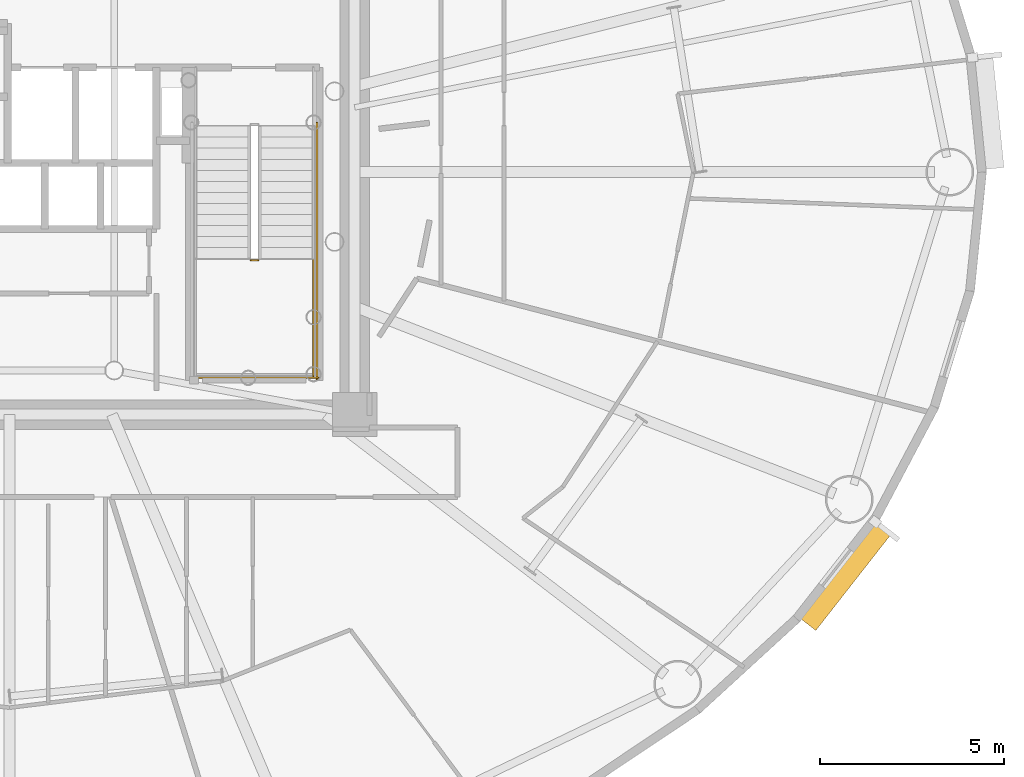
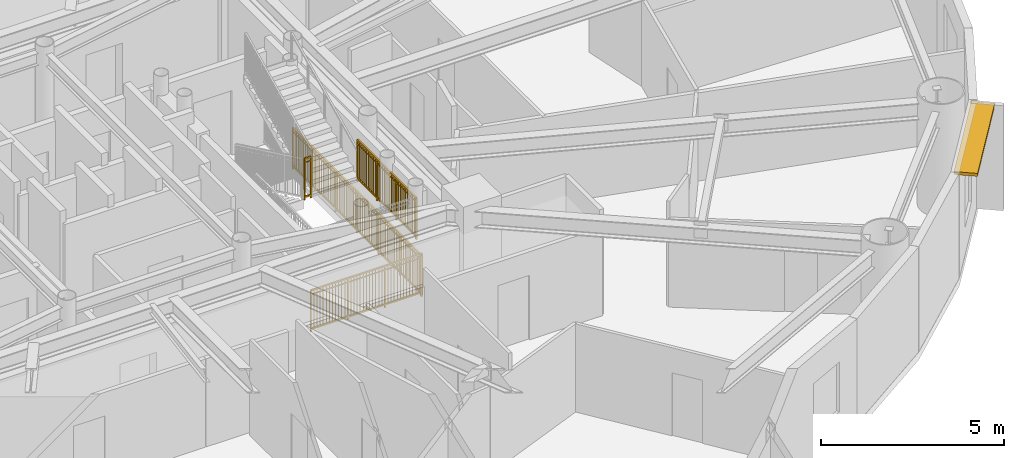
# One storey, part 18 of 19: 4 railings, 1 shading device.
"""IFC4 building model written with IfcOpenShell, lengths in metres."""

from ifc_helpers import new_model, si_unit, direction, frame, origin, origin_2d, place, context, subcontext, project, spatial, rectangle, extrude, source, transform, mapped, material, layer, layer_set, type_object, element, save


model = new_model("IFC4")

# Units and contexts
model_context = context("Model", 3, precision=1e-05, world=origin(), true_north=direction((0.0, 1.0)))
body_context = subcontext(model_context, "Body", "Model", "MODEL_VIEW")
ifc_project = project(units=[si_unit("LENGTHUNIT", "METRE"), si_unit("AREAUNIT", "SQUARE_METRE"), si_unit("VOLUMEUNIT", "CUBIC_METRE"), si_unit("PLANEANGLEUNIT", "RADIAN"), si_unit("MASSUNIT", "GRAM", prefix="KILO")], contexts=[model_context])

# Site, building, storey
site_placement = place(None, origin())
site = spatial("IfcSite", under=ifc_project, at=site_placement, CompositionType="ELEMENT")
building_placement = place(site_placement, origin())
building = spatial("IfcBuilding", under=site, at=building_placement, Name="Linh Dai School and Residence Tower", CompositionType="ELEMENT")
storey_placement = place(building_placement, frame((0.0, 0.0, 174.89990234375)))
storey = spatial("IfcBuildingStorey", under=building, at=storey_placement, Name="L42", CompositionType="ELEMENT", Elevation=174.89990234375)

# Shading device
ifc_material_1 = material(Name="Terracotta Ceramic Sunshade", Category="masonry")
ifc_layer = layer(ifc_material_1, 0.10009765625)
ifc_layer_set = layer_set([ifc_layer], Name="Terracotta Ceramic Sunshade")
shading_device_type = type_object("IfcShadingDeviceType", Name="SHD-TC-650", PredefinedType="USERDEFINED", material=ifc_layer_set)
shared_shape_1 = source(origin(), body_context, "Body", "SweptSolid", [
    extrude(rectangle(XDim=3.376708984375, YDim=0.64990234375, at=origin_2d()), origin(), (0.0, 0.0, 1.0), 0.10009765625),
])
shading_device_placement = place(storey_placement, frame((58.736572265625, 16.05078125, 3.380126953125), z_axis=(0.0, 0.0, 1.0), x_axis=(-0.616286337798, -0.787522158319, 0.0)))
element("IfcShadingDevice", 1, at=shading_device_placement, inside=storey, type_object=shading_device_type, Name="L42 Terracotta Horizontal Sunshade Band 37", ObjectType="SUNSHADE", PredefinedType="USERDEFINED", context=body_context, shape_type="MappedRepresentation", body=[
    mapped(shared_shape_1, transform((0.0, 0.0, 0.0), x_axis=(1.0, 0.0, 0.0), y_axis=(0.0, 1.0, 0.0), z_axis=(0.0, 0.0, 1.0), scale=1.0)),
])

# Railings
ifc_material_2 = material(Name="Structural Steel S355JR", Category="steel")
railing_type = type_object("IfcRailingType", Name="RL-ST-GUARD-1400", PredefinedType="GUARDRAIL", material=ifc_material_2)
shared_shape_2 = source(origin(), body_context, "Body", "SweptSolid", [
    extrude(rectangle(XDim=0.048095703125, YDim=0.048095703125, at=origin_2d()), frame((0.0, 0.0, 1.3759765625), z_axis=(1.0, 0.0, 0.0), x_axis=(0.0, 1.0, 0.0)), (0.0, 0.0, 1.0), 0.199951171875),
    extrude(rectangle(XDim=0.048095703125, YDim=0.048095703125, at=origin_2d()), frame((0.0, 0.0, 0.10009765625), z_axis=(1.0, 0.0, 0.0), x_axis=(0.0, 1.0, 0.0)), (0.0, 0.0, 1.0), 0.199951171875),
    extrude(rectangle(XDim=0.030029296875, YDim=0.030029296875, at=origin_2d()), frame((0.0, 0.0, 1.239990234375), z_axis=(1.0, 0.0, 0.0), x_axis=(0.0, 1.0, 0.0)), (0.0, 0.0, 1.0), 0.199951171875),
    extrude(rectangle(XDim=0.0419921875, YDim=0.0419921875, at=origin_2d()), origin(), (0.0, 0.0, 1.0), 1.3759765625),
    extrude(rectangle(XDim=0.0419921875, YDim=0.0419921875, at=origin_2d()), frame((0.199951171875, 0.0, 0.0)), (0.0, 0.0, 1.0), 1.3759765625),
])
railing_1_placement = place(storey_placement, frame((42.570068359375, 24.60009765625, 1.875)))
element("IfcRailing", 2, at=railing_1_placement, inside=storey, type_object=railing_type, Name="L42 ST2 stair guard 2", PredefinedType="GUARDRAIL", context=body_context, shape_type="MappedRepresentation", body=[
    mapped(shared_shape_2, transform((0.0, 0.0, 0.0), x_axis=(1.0, 0.0, 0.0), y_axis=(0.0, 1.0, 0.0), z_axis=(0.0, 0.0, 1.0), scale=1.0)),
])
shared_shape_3 = source(origin(), body_context, "Body", "SweptSolid", [
    extrude(rectangle(XDim=0.048095703125, YDim=0.048095703125, at=origin_2d()), frame((0.0, 0.0, 1.3759765625), z_axis=(0.0, -1.0, 0.0), x_axis=(1.0, 0.0, 0.0)), (0.0, 0.0, 1.0), 7.0),
    extrude(rectangle(XDim=0.048095703125, YDim=0.048095703125, at=origin_2d()), frame((0.0, 0.0, 0.10009765625), z_axis=(0.0, -1.0, 0.0), x_axis=(1.0, 0.0, 0.0)), (0.0, 0.0, 1.0), 7.0),
    extrude(rectangle(XDim=0.030029296875, YDim=0.030029296875, at=origin_2d()), frame((0.0, 0.0, 1.239990234375), z_axis=(0.0, -1.0, 0.0), x_axis=(1.0, 0.0, 0.0)), (0.0, 0.0, 1.0), 7.0),
    extrude(rectangle(XDim=0.02001953125, YDim=0.02001953125, at=origin_2d()), frame((0.0, -0.09716796875, 0.10009765625)), (0.0, 0.0, 1.0), 1.251708984375),
    extrude(rectangle(XDim=0.02001953125, YDim=0.02001953125, at=origin_2d()), frame((0.0, -0.1943359375, 0.10009765625)), (0.0, 0.0, 1.0), 1.251708984375),
    extrude(rectangle(XDim=0.02001953125, YDim=0.02001953125, at=origin_2d()), frame((0.0, -0.291748046875, 0.10009765625)), (0.0, 0.0, 1.0), 1.251708984375),
    extrude(rectangle(XDim=0.02001953125, YDim=0.02001953125, at=origin_2d()), frame((0.0, -0.388916015625, 0.10009765625)), (0.0, 0.0, 1.0), 1.251708984375),
    extrude(rectangle(XDim=0.02001953125, YDim=0.02001953125, at=origin_2d()), frame((0.0, -0.486083984375, 0.10009765625)), (0.0, 0.0, 1.0), 1.251708984375),
    extrude(rectangle(XDim=0.02001953125, YDim=0.02001953125, at=origin_2d()), frame((0.0, -0.583251953125, 0.10009765625)), (0.0, 0.0, 1.0), 1.251708984375),
    extrude(rectangle(XDim=0.02001953125, YDim=0.02001953125, at=origin_2d()), frame((0.0, -0.6806640625, 0.10009765625)), (0.0, 0.0, 1.0), 1.251708984375),
    extrude(rectangle(XDim=0.02001953125, YDim=0.02001953125, at=origin_2d()), frame((0.0, -0.77783203125, 0.10009765625)), (0.0, 0.0, 1.0), 1.251708984375),
    extrude(rectangle(XDim=0.02001953125, YDim=0.02001953125, at=origin_2d()), frame((0.0, -0.875, 0.10009765625)), (0.0, 0.0, 1.0), 1.251708984375),
    extrude(rectangle(XDim=0.02001953125, YDim=0.02001953125, at=origin_2d()), frame((0.0, -0.97216796875, 0.10009765625)), (0.0, 0.0, 1.0), 1.251708984375),
    extrude(rectangle(XDim=0.02001953125, YDim=0.02001953125, at=origin_2d()), frame((0.0, -1.0693359375, 0.10009765625)), (0.0, 0.0, 1.0), 1.251708984375),
    extrude(rectangle(XDim=0.02001953125, YDim=0.02001953125, at=origin_2d()), frame((0.0, -1.263916015625, 0.10009765625)), (0.0, 0.0, 1.0), 1.251708984375),
    extrude(rectangle(XDim=0.02001953125, YDim=0.02001953125, at=origin_2d()), frame((0.0, -1.361083984375, 0.10009765625)), (0.0, 0.0, 1.0), 1.251708984375),
    extrude(rectangle(XDim=0.02001953125, YDim=0.02001953125, at=origin_2d()), frame((0.0, -1.458251953125, 0.10009765625)), (0.0, 0.0, 1.0), 1.251708984375),
    extrude(rectangle(XDim=0.02001953125, YDim=0.02001953125, at=origin_2d()), frame((0.0, -1.5556640625, 0.10009765625)), (0.0, 0.0, 1.0), 1.251708984375),
    extrude(rectangle(XDim=0.02001953125, YDim=0.02001953125, at=origin_2d()), frame((0.0, -1.65283203125, 0.10009765625)), (0.0, 0.0, 1.0), 1.251708984375),
    extrude(rectangle(XDim=0.02001953125, YDim=0.02001953125, at=origin_2d()), frame((0.0, -1.75, 0.10009765625)), (0.0, 0.0, 1.0), 1.251708984375),
    extrude(rectangle(XDim=0.02001953125, YDim=0.02001953125, at=origin_2d()), frame((0.0, -1.84716796875, 0.10009765625)), (0.0, 0.0, 1.0), 1.251708984375),
    extrude(rectangle(XDim=0.02001953125, YDim=0.02001953125, at=origin_2d()), frame((0.0, -1.9443359375, 0.10009765625)), (0.0, 0.0, 1.0), 1.251708984375),
    extrude(rectangle(XDim=0.02001953125, YDim=0.02001953125, at=origin_2d()), frame((0.0, -2.041748046875, 0.10009765625)), (0.0, 0.0, 1.0), 1.251708984375),
    extrude(rectangle(XDim=0.02001953125, YDim=0.02001953125, at=origin_2d()), frame((0.0, -2.138916015625, 0.10009765625)), (0.0, 0.0, 1.0), 1.251708984375),
    extrude(rectangle(XDim=0.02001953125, YDim=0.02001953125, at=origin_2d()), frame((0.0, -2.236083984375, 0.10009765625)), (0.0, 0.0, 1.0), 1.251708984375),
    extrude(rectangle(XDim=0.02001953125, YDim=0.02001953125, at=origin_2d()), frame((0.0, -2.4306640625, 0.10009765625)), (0.0, 0.0, 1.0), 1.251708984375),
    extrude(rectangle(XDim=0.02001953125, YDim=0.02001953125, at=origin_2d()), frame((0.0, -2.52783203125, 0.10009765625)), (0.0, 0.0, 1.0), 1.251708984375),
    extrude(rectangle(XDim=0.02001953125, YDim=0.02001953125, at=origin_2d()), frame((0.0, -2.625, 0.10009765625)), (0.0, 0.0, 1.0), 1.251708984375),
    extrude(rectangle(XDim=0.02001953125, YDim=0.02001953125, at=origin_2d()), frame((0.0, -2.72216796875, 0.10009765625)), (0.0, 0.0, 1.0), 1.251708984375),
    extrude(rectangle(XDim=0.02001953125, YDim=0.02001953125, at=origin_2d()), frame((0.0, -2.8193359375, 0.10009765625)), (0.0, 0.0, 1.0), 1.251708984375),
    extrude(rectangle(XDim=0.02001953125, YDim=0.02001953125, at=origin_2d()), frame((0.0, -2.916748046875, 0.10009765625)), (0.0, 0.0, 1.0), 1.251708984375),
    extrude(rectangle(XDim=0.02001953125, YDim=0.02001953125, at=origin_2d()), frame((0.0, -3.013916015625, 0.10009765625)), (0.0, 0.0, 1.0), 1.251708984375),
    extrude(rectangle(XDim=0.02001953125, YDim=0.02001953125, at=origin_2d()), frame((0.0, -3.111083984375, 0.10009765625)), (0.0, 0.0, 1.0), 1.251708984375),
    extrude(rectangle(XDim=0.02001953125, YDim=0.02001953125, at=origin_2d()), frame((0.0, -3.208251953125, 0.10009765625)), (0.0, 0.0, 1.0), 1.251708984375),
    extrude(rectangle(XDim=0.02001953125, YDim=0.02001953125, at=origin_2d()), frame((0.0, -3.3056640625, 0.10009765625)), (0.0, 0.0, 1.0), 1.251708984375),
    extrude(rectangle(XDim=0.02001953125, YDim=0.02001953125, at=origin_2d()), frame((0.0, -3.40283203125, 0.10009765625)), (0.0, 0.0, 1.0), 1.251708984375),
    extrude(rectangle(XDim=0.02001953125, YDim=0.02001953125, at=origin_2d()), frame((0.0, -3.59716796875, 0.10009765625)), (0.0, 0.0, 1.0), 1.251708984375),
    extrude(rectangle(XDim=0.02001953125, YDim=0.02001953125, at=origin_2d()), frame((0.0, -3.6943359375, 0.10009765625)), (0.0, 0.0, 1.0), 1.251708984375),
    extrude(rectangle(XDim=0.02001953125, YDim=0.02001953125, at=origin_2d()), frame((0.0, -3.791748046875, 0.10009765625)), (0.0, 0.0, 1.0), 1.251708984375),
    extrude(rectangle(XDim=0.02001953125, YDim=0.02001953125, at=origin_2d()), frame((0.0, -3.888916015625, 0.10009765625)), (0.0, 0.0, 1.0), 1.251708984375),
    extrude(rectangle(XDim=0.02001953125, YDim=0.02001953125, at=origin_2d()), frame((0.0, -3.986083984375, 0.10009765625)), (0.0, 0.0, 1.0), 1.251708984375),
    extrude(rectangle(XDim=0.02001953125, YDim=0.02001953125, at=origin_2d()), frame((0.0, -4.083251953125, 0.10009765625)), (0.0, 0.0, 1.0), 1.251708984375),
    extrude(rectangle(XDim=0.02001953125, YDim=0.02001953125, at=origin_2d()), frame((0.0, -4.1806640625, 0.10009765625)), (0.0, 0.0, 1.0), 1.251708984375),
    extrude(rectangle(XDim=0.02001953125, YDim=0.02001953125, at=origin_2d()), frame((0.0, -4.27783203125, 0.10009765625)), (0.0, 0.0, 1.0), 1.251708984375),
    extrude(rectangle(XDim=0.02001953125, YDim=0.02001953125, at=origin_2d()), frame((0.0, -4.375, 0.10009765625)), (0.0, 0.0, 1.0), 1.251708984375),
    extrude(rectangle(XDim=0.02001953125, YDim=0.02001953125, at=origin_2d()), frame((0.0, -4.47216796875, 0.10009765625)), (0.0, 0.0, 1.0), 1.251708984375),
    extrude(rectangle(XDim=0.02001953125, YDim=0.02001953125, at=origin_2d()), frame((0.0, -4.5693359375, 0.10009765625)), (0.0, 0.0, 1.0), 1.251708984375),
    extrude(rectangle(XDim=0.02001953125, YDim=0.02001953125, at=origin_2d()), frame((0.0, -4.763916015625, 0.10009765625)), (0.0, 0.0, 1.0), 1.251708984375),
    extrude(rectangle(XDim=0.02001953125, YDim=0.02001953125, at=origin_2d()), frame((0.0, -4.861083984375, 0.10009765625)), (0.0, 0.0, 1.0), 1.251708984375),
    extrude(rectangle(XDim=0.02001953125, YDim=0.02001953125, at=origin_2d()), frame((0.0, -4.958251953125, 0.10009765625)), (0.0, 0.0, 1.0), 1.251708984375),
    extrude(rectangle(XDim=0.02001953125, YDim=0.02001953125, at=origin_2d()), frame((0.0, -5.0556640625, 0.10009765625)), (0.0, 0.0, 1.0), 1.251708984375),
    extrude(rectangle(XDim=0.02001953125, YDim=0.02001953125, at=origin_2d()), frame((0.0, -5.15283203125, 0.10009765625)), (0.0, 0.0, 1.0), 1.251708984375),
    extrude(rectangle(XDim=0.02001953125, YDim=0.02001953125, at=origin_2d()), frame((0.0, -5.25, 0.10009765625)), (0.0, 0.0, 1.0), 1.251708984375),
    extrude(rectangle(XDim=0.02001953125, YDim=0.02001953125, at=origin_2d()), frame((0.0, -5.34716796875, 0.10009765625)), (0.0, 0.0, 1.0), 1.251708984375),
    extrude(rectangle(XDim=0.02001953125, YDim=0.02001953125, at=origin_2d()), frame((0.0, -5.4443359375, 0.10009765625)), (0.0, 0.0, 1.0), 1.251708984375),
    extrude(rectangle(XDim=0.02001953125, YDim=0.02001953125, at=origin_2d()), frame((0.0, -5.541748046875, 0.10009765625)), (0.0, 0.0, 1.0), 1.251708984375),
    extrude(rectangle(XDim=0.02001953125, YDim=0.02001953125, at=origin_2d()), frame((0.0, -5.638916015625, 0.10009765625)), (0.0, 0.0, 1.0), 1.251708984375),
    extrude(rectangle(XDim=0.02001953125, YDim=0.02001953125, at=origin_2d()), frame((0.0, -5.736083984375, 0.10009765625)), (0.0, 0.0, 1.0), 1.251708984375),
    extrude(rectangle(XDim=0.02001953125, YDim=0.02001953125, at=origin_2d()), frame((0.0, -5.9306640625, 0.10009765625)), (0.0, 0.0, 1.0), 1.251708984375),
    extrude(rectangle(XDim=0.02001953125, YDim=0.02001953125, at=origin_2d()), frame((0.0, -6.02783203125, 0.10009765625)), (0.0, 0.0, 1.0), 1.251708984375),
    extrude(rectangle(XDim=0.02001953125, YDim=0.02001953125, at=origin_2d()), frame((0.0, -6.125, 0.10009765625)), (0.0, 0.0, 1.0), 1.251708984375),
    extrude(rectangle(XDim=0.02001953125, YDim=0.02001953125, at=origin_2d()), frame((0.0, -6.22216796875, 0.10009765625)), (0.0, 0.0, 1.0), 1.251708984375),
    extrude(rectangle(XDim=0.02001953125, YDim=0.02001953125, at=origin_2d()), frame((0.0, -6.3193359375, 0.10009765625)), (0.0, 0.0, 1.0), 1.251708984375),
    extrude(rectangle(XDim=0.02001953125, YDim=0.02001953125, at=origin_2d()), frame((0.0, -6.416748046875, 0.10009765625)), (0.0, 0.0, 1.0), 1.251708984375),
    extrude(rectangle(XDim=0.02001953125, YDim=0.02001953125, at=origin_2d()), frame((0.0, -6.513916015625, 0.10009765625)), (0.0, 0.0, 1.0), 1.251708984375),
    extrude(rectangle(XDim=0.02001953125, YDim=0.02001953125, at=origin_2d()), frame((0.0, -6.611083984375, 0.10009765625)), (0.0, 0.0, 1.0), 1.251708984375),
    extrude(rectangle(XDim=0.02001953125, YDim=0.02001953125, at=origin_2d()), frame((0.0, -6.708251953125, 0.10009765625)), (0.0, 0.0, 1.0), 1.251708984375),
    extrude(rectangle(XDim=0.02001953125, YDim=0.02001953125, at=origin_2d()), frame((0.0, -6.8056640625, 0.10009765625)), (0.0, 0.0, 1.0), 1.251708984375),
    extrude(rectangle(XDim=0.02001953125, YDim=0.02001953125, at=origin_2d()), frame((0.0, -6.90283203125, 0.10009765625)), (0.0, 0.0, 1.0), 1.251708984375),
    extrude(rectangle(XDim=0.0419921875, YDim=0.0419921875, at=origin_2d()), origin(), (0.0, 0.0, 1.0), 1.3759765625),
    extrude(rectangle(XDim=0.0419921875, YDim=0.0419921875, at=origin_2d()), frame((0.0, -1.166748046875, 0.0)), (0.0, 0.0, 1.0), 1.3759765625),
    extrude(rectangle(XDim=0.0419921875, YDim=0.0419921875, at=origin_2d()), frame((0.0, -2.333251953125, 0.0)), (0.0, 0.0, 1.0), 1.3759765625),
    extrude(rectangle(XDim=0.0419921875, YDim=0.0419921875, at=origin_2d()), frame((0.0, -3.5, 0.0)), (0.0, 0.0, 1.0), 1.3759765625),
    extrude(rectangle(XDim=0.0419921875, YDim=0.0419921875, at=origin_2d()), frame((0.0, -4.666748046875, 0.0)), (0.0, 0.0, 1.0), 1.3759765625),
    extrude(rectangle(XDim=0.0419921875, YDim=0.0419921875, at=origin_2d()), frame((0.0, -5.833251953125, 0.0)), (0.0, 0.0, 1.0), 1.3759765625),
    extrude(rectangle(XDim=0.0419921875, YDim=0.0419921875, at=origin_2d()), frame((0.0, -7.0, 0.0)), (0.0, 0.0, 1.0), 1.3759765625),
])
railing_2_placement = place(storey_placement, frame((44.3701171875, 28.35009765625, 0.0)))
element("IfcRailing", 3, at=railing_2_placement, inside=storey, type_object=railing_type, Name="L42 ST2 stair guard 11", PredefinedType="GUARDRAIL", context=body_context, shape_type="MappedRepresentation", body=[
    mapped(shared_shape_3, transform((0.0, 0.0, 0.0), x_axis=(1.0, 0.0, 0.0), y_axis=(0.0, 1.0, 0.0), z_axis=(0.0, 0.0, 1.0), scale=1.0)),
])
shared_shape_4 = source(origin(), body_context, "Body", "SweptSolid", [
    extrude(rectangle(XDim=0.048095703125, YDim=0.048095703125, at=origin_2d()), frame((0.0, 0.0, 1.3759765625), z_axis=(1.0, 0.0, 0.0), x_axis=(0.0, 1.0, 0.0)), (0.0, 0.0, 1.0), 3.5),
    extrude(rectangle(XDim=0.048095703125, YDim=0.048095703125, at=origin_2d()), frame((0.0, 0.0, 0.10009765625), z_axis=(1.0, 0.0, 0.0), x_axis=(0.0, 1.0, 0.0)), (0.0, 0.0, 1.0), 3.5),
    extrude(rectangle(XDim=0.030029296875, YDim=0.030029296875, at=origin_2d()), frame((0.0, 0.0, 1.239990234375), z_axis=(1.0, 0.0, 0.0), x_axis=(0.0, 1.0, 0.0)), (0.0, 0.0, 1.0), 3.5),
    extrude(rectangle(XDim=0.02001953125, YDim=0.02001953125, at=origin_2d()), frame((0.09716796875, 0.0, 0.10009765625)), (0.0, 0.0, 1.0), 1.251708984375),
    extrude(rectangle(XDim=0.02001953125, YDim=0.02001953125, at=origin_2d()), frame((0.1943359375, 0.0, 0.10009765625)), (0.0, 0.0, 1.0), 1.251708984375),
    extrude(rectangle(XDim=0.02001953125, YDim=0.02001953125, at=origin_2d()), frame((0.291748046875, 0.0, 0.10009765625)), (0.0, 0.0, 1.0), 1.251708984375),
    extrude(rectangle(XDim=0.02001953125, YDim=0.02001953125, at=origin_2d()), frame((0.388916015625, 0.0, 0.10009765625)), (0.0, 0.0, 1.0), 1.251708984375),
    extrude(rectangle(XDim=0.02001953125, YDim=0.02001953125, at=origin_2d()), frame((0.486083984375, 0.0, 0.10009765625)), (0.0, 0.0, 1.0), 1.251708984375),
    extrude(rectangle(XDim=0.02001953125, YDim=0.02001953125, at=origin_2d()), frame((0.583251953125, 0.0, 0.10009765625)), (0.0, 0.0, 1.0), 1.251708984375),
    extrude(rectangle(XDim=0.02001953125, YDim=0.02001953125, at=origin_2d()), frame((0.6806640625, 0.0, 0.10009765625)), (0.0, 0.0, 1.0), 1.251708984375),
    extrude(rectangle(XDim=0.02001953125, YDim=0.02001953125, at=origin_2d()), frame((0.77783203125, 0.0, 0.10009765625)), (0.0, 0.0, 1.0), 1.251708984375),
    extrude(rectangle(XDim=0.02001953125, YDim=0.02001953125, at=origin_2d()), frame((0.875, 0.0, 0.10009765625)), (0.0, 0.0, 1.0), 1.251708984375),
    extrude(rectangle(XDim=0.02001953125, YDim=0.02001953125, at=origin_2d()), frame((0.97216796875, 0.0, 0.10009765625)), (0.0, 0.0, 1.0), 1.251708984375),
    extrude(rectangle(XDim=0.02001953125, YDim=0.02001953125, at=origin_2d()), frame((1.0693359375, 0.0, 0.10009765625)), (0.0, 0.0, 1.0), 1.251708984375),
    extrude(rectangle(XDim=0.02001953125, YDim=0.02001953125, at=origin_2d()), frame((1.263916015625, 0.0, 0.10009765625)), (0.0, 0.0, 1.0), 1.251708984375),
    extrude(rectangle(XDim=0.02001953125, YDim=0.02001953125, at=origin_2d()), frame((1.361083984375, 0.0, 0.10009765625)), (0.0, 0.0, 1.0), 1.251708984375),
    extrude(rectangle(XDim=0.02001953125, YDim=0.02001953125, at=origin_2d()), frame((1.458251953125, 0.0, 0.10009765625)), (0.0, 0.0, 1.0), 1.251708984375),
    extrude(rectangle(XDim=0.02001953125, YDim=0.02001953125, at=origin_2d()), frame((1.5556640625, 0.0, 0.10009765625)), (0.0, 0.0, 1.0), 1.251708984375),
    extrude(rectangle(XDim=0.02001953125, YDim=0.02001953125, at=origin_2d()), frame((1.65283203125, 0.0, 0.10009765625)), (0.0, 0.0, 1.0), 1.251708984375),
    extrude(rectangle(XDim=0.02001953125, YDim=0.02001953125, at=origin_2d()), frame((1.75, 0.0, 0.10009765625)), (0.0, 0.0, 1.0), 1.251708984375),
    extrude(rectangle(XDim=0.02001953125, YDim=0.02001953125, at=origin_2d()), frame((1.84716796875, 0.0, 0.10009765625)), (0.0, 0.0, 1.0), 1.251708984375),
    extrude(rectangle(XDim=0.02001953125, YDim=0.02001953125, at=origin_2d()), frame((1.9443359375, 0.0, 0.10009765625)), (0.0, 0.0, 1.0), 1.251708984375),
    extrude(rectangle(XDim=0.02001953125, YDim=0.02001953125, at=origin_2d()), frame((2.041748046875, 0.0, 0.10009765625)), (0.0, 0.0, 1.0), 1.251708984375),
    extrude(rectangle(XDim=0.02001953125, YDim=0.02001953125, at=origin_2d()), frame((2.138916015625, 0.0, 0.10009765625)), (0.0, 0.0, 1.0), 1.251708984375),
    extrude(rectangle(XDim=0.02001953125, YDim=0.02001953125, at=origin_2d()), frame((2.236083984375, 0.0, 0.10009765625)), (0.0, 0.0, 1.0), 1.251708984375),
    extrude(rectangle(XDim=0.02001953125, YDim=0.02001953125, at=origin_2d()), frame((2.4306640625, 0.0, 0.10009765625)), (0.0, 0.0, 1.0), 1.251708984375),
    extrude(rectangle(XDim=0.02001953125, YDim=0.02001953125, at=origin_2d()), frame((2.52783203125, 0.0, 0.10009765625)), (0.0, 0.0, 1.0), 1.251708984375),
    extrude(rectangle(XDim=0.02001953125, YDim=0.02001953125, at=origin_2d()), frame((2.625, 0.0, 0.10009765625)), (0.0, 0.0, 1.0), 1.251708984375),
    extrude(rectangle(XDim=0.02001953125, YDim=0.02001953125, at=origin_2d()), frame((2.72216796875, 0.0, 0.10009765625)), (0.0, 0.0, 1.0), 1.251708984375),
    extrude(rectangle(XDim=0.02001953125, YDim=0.02001953125, at=origin_2d()), frame((2.8193359375, 0.0, 0.10009765625)), (0.0, 0.0, 1.0), 1.251708984375),
    extrude(rectangle(XDim=0.02001953125, YDim=0.02001953125, at=origin_2d()), frame((2.916748046875, 0.0, 0.10009765625)), (0.0, 0.0, 1.0), 1.251708984375),
    extrude(rectangle(XDim=0.02001953125, YDim=0.02001953125, at=origin_2d()), frame((3.013916015625, 0.0, 0.10009765625)), (0.0, 0.0, 1.0), 1.251708984375),
    extrude(rectangle(XDim=0.02001953125, YDim=0.02001953125, at=origin_2d()), frame((3.111083984375, 0.0, 0.10009765625)), (0.0, 0.0, 1.0), 1.251708984375),
    extrude(rectangle(XDim=0.02001953125, YDim=0.02001953125, at=origin_2d()), frame((3.208251953125, 0.0, 0.10009765625)), (0.0, 0.0, 1.0), 1.251708984375),
    extrude(rectangle(XDim=0.02001953125, YDim=0.02001953125, at=origin_2d()), frame((3.3056640625, 0.0, 0.10009765625)), (0.0, 0.0, 1.0), 1.251708984375),
    extrude(rectangle(XDim=0.02001953125, YDim=0.02001953125, at=origin_2d()), frame((3.40283203125, 0.0, 0.10009765625)), (0.0, 0.0, 1.0), 1.251708984375),
    extrude(rectangle(XDim=0.0419921875, YDim=0.0419921875, at=origin_2d()), origin(), (0.0, 0.0, 1.0), 1.3759765625),
    extrude(rectangle(XDim=0.0419921875, YDim=0.0419921875, at=origin_2d()), frame((1.166748046875, 0.0, 0.0)), (0.0, 0.0, 1.0), 1.3759765625),
    extrude(rectangle(XDim=0.0419921875, YDim=0.0419921875, at=origin_2d()), frame((2.333251953125, 0.0, 0.0)), (0.0, 0.0, 1.0), 1.3759765625),
    extrude(rectangle(XDim=0.0419921875, YDim=0.0419921875, at=origin_2d()), frame((3.5, 0.0, 0.0)), (0.0, 0.0, 1.0), 1.3759765625),
])
railing_3_placement = place(storey_placement, frame((40.919921875, 21.39990234375, 0.0)))
element("IfcRailing", 4, at=railing_3_placement, inside=storey, type_object=railing_type, Name="L42 ST2 stair guard 12", PredefinedType="GUARDRAIL", context=body_context, shape_type="MappedRepresentation", body=[
    mapped(shared_shape_4, transform((0.0, 0.0, 0.0), x_axis=(1.0, 0.0, 0.0), y_axis=(0.0, 1.0, 0.0), z_axis=(0.0, 0.0, 1.0), scale=1.0)),
])
shared_shape_5 = source(origin(), body_context, "Body", "SweptSolid", [
    extrude(rectangle(XDim=0.048095703125, YDim=0.048095703125, at=origin_2d()), frame((0.0, 0.0, 1.3759765625), z_axis=(0.0, -1.0, 0.0), x_axis=(1.0, 0.0, 0.0)), (0.0, 0.0, 1.0), 3.199951171875),
    extrude(rectangle(XDim=0.048095703125, YDim=0.048095703125, at=origin_2d()), frame((0.0, 0.0, 0.10009765625), z_axis=(0.0, -1.0, 0.0), x_axis=(1.0, 0.0, 0.0)), (0.0, 0.0, 1.0), 3.199951171875),
    extrude(rectangle(XDim=0.030029296875, YDim=0.030029296875, at=origin_2d()), frame((0.0, 0.0, 1.239990234375), z_axis=(0.0, -1.0, 0.0), x_axis=(1.0, 0.0, 0.0)), (0.0, 0.0, 1.0), 3.199951171875),
    extrude(rectangle(XDim=0.02001953125, YDim=0.02001953125, at=origin_2d()), frame((0.0, -0.096923828125, 0.10009765625)), (0.0, 0.0, 1.0), 1.251708984375),
    extrude(rectangle(XDim=0.02001953125, YDim=0.02001953125, at=origin_2d()), frame((0.0, -0.19384765625, 0.10009765625)), (0.0, 0.0, 1.0), 1.251708984375),
    extrude(rectangle(XDim=0.02001953125, YDim=0.02001953125, at=origin_2d()), frame((0.0, -0.291015625, 0.10009765625)), (0.0, 0.0, 1.0), 1.251708984375),
    extrude(rectangle(XDim=0.02001953125, YDim=0.02001953125, at=origin_2d()), frame((0.0, -0.387939453125, 0.10009765625)), (0.0, 0.0, 1.0), 1.251708984375),
    extrude(rectangle(XDim=0.02001953125, YDim=0.02001953125, at=origin_2d()), frame((0.0, -0.48486328125, 0.10009765625)), (0.0, 0.0, 1.0), 1.251708984375),
    extrude(rectangle(XDim=0.02001953125, YDim=0.02001953125, at=origin_2d()), frame((0.0, -0.581787109375, 0.10009765625)), (0.0, 0.0, 1.0), 1.251708984375),
    extrude(rectangle(XDim=0.02001953125, YDim=0.02001953125, at=origin_2d()), frame((0.0, -0.6787109375, 0.10009765625)), (0.0, 0.0, 1.0), 1.251708984375),
    extrude(rectangle(XDim=0.02001953125, YDim=0.02001953125, at=origin_2d()), frame((0.0, -0.775634765625, 0.10009765625)), (0.0, 0.0, 1.0), 1.251708984375),
    extrude(rectangle(XDim=0.02001953125, YDim=0.02001953125, at=origin_2d()), frame((0.0, -0.872802734375, 0.10009765625)), (0.0, 0.0, 1.0), 1.251708984375),
    extrude(rectangle(XDim=0.02001953125, YDim=0.02001953125, at=origin_2d()), frame((0.0, -0.9697265625, 0.10009765625)), (0.0, 0.0, 1.0), 1.251708984375),
    extrude(rectangle(XDim=0.02001953125, YDim=0.02001953125, at=origin_2d()), frame((0.0, -1.16357421875, 0.10009765625)), (0.0, 0.0, 1.0), 1.251708984375),
    extrude(rectangle(XDim=0.02001953125, YDim=0.02001953125, at=origin_2d()), frame((0.0, -1.260498046875, 0.10009765625)), (0.0, 0.0, 1.0), 1.251708984375),
    extrude(rectangle(XDim=0.02001953125, YDim=0.02001953125, at=origin_2d()), frame((0.0, -1.357666015625, 0.10009765625)), (0.0, 0.0, 1.0), 1.251708984375),
    extrude(rectangle(XDim=0.02001953125, YDim=0.02001953125, at=origin_2d()), frame((0.0, -1.45458984375, 0.10009765625)), (0.0, 0.0, 1.0), 1.251708984375),
    extrude(rectangle(XDim=0.02001953125, YDim=0.02001953125, at=origin_2d()), frame((0.0, -1.551513671875, 0.10009765625)), (0.0, 0.0, 1.0), 1.251708984375),
    extrude(rectangle(XDim=0.02001953125, YDim=0.02001953125, at=origin_2d()), frame((0.0, -1.6484375, 0.10009765625)), (0.0, 0.0, 1.0), 1.251708984375),
    extrude(rectangle(XDim=0.02001953125, YDim=0.02001953125, at=origin_2d()), frame((0.0, -1.745361328125, 0.10009765625)), (0.0, 0.0, 1.0), 1.251708984375),
    extrude(rectangle(XDim=0.02001953125, YDim=0.02001953125, at=origin_2d()), frame((0.0, -1.84228515625, 0.10009765625)), (0.0, 0.0, 1.0), 1.251708984375),
    extrude(rectangle(XDim=0.02001953125, YDim=0.02001953125, at=origin_2d()), frame((0.0, -1.939453125, 0.10009765625)), (0.0, 0.0, 1.0), 1.251708984375),
    extrude(rectangle(XDim=0.02001953125, YDim=0.02001953125, at=origin_2d()), frame((0.0, -2.036376953125, 0.10009765625)), (0.0, 0.0, 1.0), 1.251708984375),
    extrude(rectangle(XDim=0.02001953125, YDim=0.02001953125, at=origin_2d()), frame((0.0, -2.230224609375, 0.10009765625)), (0.0, 0.0, 1.0), 1.251708984375),
    extrude(rectangle(XDim=0.02001953125, YDim=0.02001953125, at=origin_2d()), frame((0.0, -2.3271484375, 0.10009765625)), (0.0, 0.0, 1.0), 1.251708984375),
    extrude(rectangle(XDim=0.02001953125, YDim=0.02001953125, at=origin_2d()), frame((0.0, -2.42431640625, 0.10009765625)), (0.0, 0.0, 1.0), 1.251708984375),
    extrude(rectangle(XDim=0.02001953125, YDim=0.02001953125, at=origin_2d()), frame((0.0, -2.521240234375, 0.10009765625)), (0.0, 0.0, 1.0), 1.251708984375),
    extrude(rectangle(XDim=0.02001953125, YDim=0.02001953125, at=origin_2d()), frame((0.0, -2.6181640625, 0.10009765625)), (0.0, 0.0, 1.0), 1.251708984375),
    extrude(rectangle(XDim=0.02001953125, YDim=0.02001953125, at=origin_2d()), frame((0.0, -2.715087890625, 0.10009765625)), (0.0, 0.0, 1.0), 1.251708984375),
    extrude(rectangle(XDim=0.02001953125, YDim=0.02001953125, at=origin_2d()), frame((0.0, -2.81201171875, 0.10009765625)), (0.0, 0.0, 1.0), 1.251708984375),
    extrude(rectangle(XDim=0.02001953125, YDim=0.02001953125, at=origin_2d()), frame((0.0, -2.908935546875, 0.10009765625)), (0.0, 0.0, 1.0), 1.251708984375),
    extrude(rectangle(XDim=0.02001953125, YDim=0.02001953125, at=origin_2d()), frame((0.0, -3.006103515625, 0.10009765625)), (0.0, 0.0, 1.0), 1.251708984375),
    extrude(rectangle(XDim=0.02001953125, YDim=0.02001953125, at=origin_2d()), frame((0.0, -3.10302734375, 0.10009765625)), (0.0, 0.0, 1.0), 1.251708984375),
    extrude(rectangle(XDim=0.0419921875, YDim=0.0419921875, at=origin_2d()), origin(), (0.0, 0.0, 1.0), 1.3759765625),
    extrude(rectangle(XDim=0.0419921875, YDim=0.0419921875, at=origin_2d()), frame((0.0, -1.066650390625, 0.0)), (0.0, 0.0, 1.0), 1.3759765625),
    extrude(rectangle(XDim=0.0419921875, YDim=0.0419921875, at=origin_2d()), frame((0.0, -2.13330078125, 0.0)), (0.0, 0.0, 1.0), 1.3759765625),
    extrude(rectangle(XDim=0.0419921875, YDim=0.0419921875, at=origin_2d()), frame((0.0, -3.199951171875, 0.0)), (0.0, 0.0, 1.0), 1.3759765625),
])
railing_4_placement = place(storey_placement, frame((44.27001953125, 24.64990234375, 1.875)))
element("IfcRailing", 5, at=railing_4_placement, inside=storey, type_object=railing_type, Name="L42 ST2 stair guard 4", PredefinedType="GUARDRAIL", context=body_context, shape_type="MappedRepresentation", body=[
    mapped(shared_shape_5, transform((0.0, 0.0, 0.0), x_axis=(1.0, 0.0, 0.0), y_axis=(0.0, 1.0, 0.0), z_axis=(0.0, 0.0, 1.0), scale=1.0)),
])

save(model, "model.ifc")
